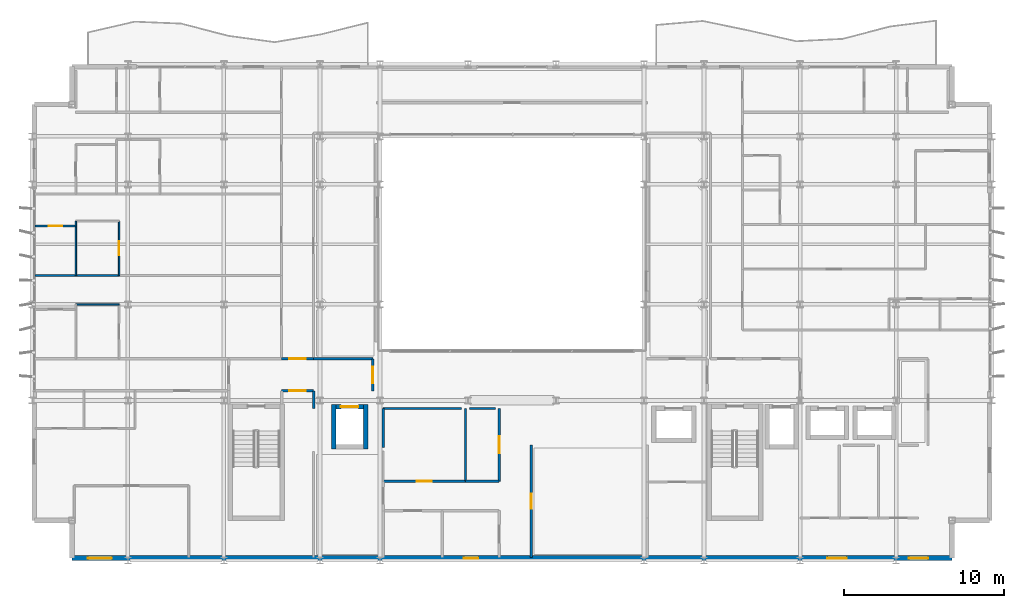
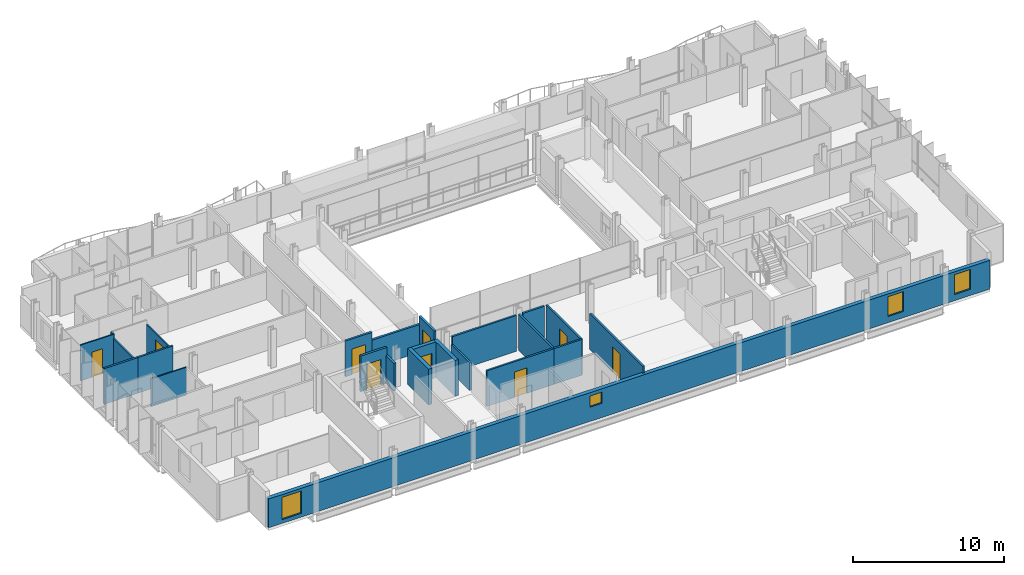
# One storey, part 30 of 40: 24 walls, 9 doors, 4 windows, 13 openings.
"""IFC4 building model written with IfcOpenShell, lengths in metres."""

from ifc_helpers import new_model, si_unit, direction, frame, frame_2d, origin, place, context, subcontext, project, spatial, rectangle, extrude, material, layer, layer_set, type_object, element, fill, save


model = new_model("IFC4")

# Units and contexts
model_context = context("Model", 3, precision=1e-05, world=origin(), true_north=direction((0.0, 1.0)))
body_context = subcontext(model_context, "Body", "Model", "MODEL_VIEW")
ifc_project = project(units=[si_unit("LENGTHUNIT", "METRE"), si_unit("AREAUNIT", "SQUARE_METRE"), si_unit("VOLUMEUNIT", "CUBIC_METRE"), si_unit("PLANEANGLEUNIT", "RADIAN"), si_unit("MASSUNIT", "GRAM", prefix="KILO")], contexts=[model_context])

# Site, building, storey
site_placement = place(None, origin())
site = spatial("IfcSite", under=ifc_project, at=site_placement, CompositionType="ELEMENT")
building_placement = place(site_placement, origin())
building = spatial("IfcBuilding", under=site, at=building_placement, Name="Brevholm Reach", CompositionType="ELEMENT")
storey_placement = place(building_placement, frame((0.0, 0.0, 148.0)))
storey = spatial("IfcBuildingStorey", under=building, at=storey_placement, Name="L44", CompositionType="ELEMENT", Elevation=148.0)

# Walls
ifc_material_1 = material(Name="Concrete C50/60", Category="concrete")
ifc_layer_1 = layer(ifc_material_1, 0.280029296875)
ifc_layer_set_1 = layer_set([ifc_layer_1], Name="Concrete C50/60")
wall_type_1 = type_object("IfcWallType", Name="WAL-COR-280", PredefinedType="SHEAR", material=ifc_layer_set_1)
for number, where, z_axis, x_axis, name in (
    (1, (18.85009765625, 6.9599609375, 0.0), (0.0, 0.0, 1.0), (0.0, 1.0, 0.0), "L44 Lift FFL-1 Shaft Wall W"),
    (2, (20.85009765625, 6.9599609375, 0.0), (0.0, 0.0, 1.0), (0.0, 1.0, 0.0), "L44 Lift FFL-1 Shaft Wall E"),
):
    element("IfcWall", number, at=place(storey_placement, frame(where, z_axis=z_axis, x_axis=x_axis)), inside=storey, type_object=wall_type_1, Name=name, PredefinedType="SHEAR", context=body_context, shape_type="SweptSolid", body=[
        extrude(rectangle(XDim=2.780029296875, YDim=0.280029296875, at=frame_2d((1.39013671875, 0.0))), origin(), (0.0, 0.0, 1.0), 2.8798828125),
    ])

# Wall, opening, door
wall_1_placement = place(storey_placement, frame((18.989990234375, 9.60009765625, 0.0), z_axis=(0.0, 0.0, 1.0), x_axis=(1.0, 0.0, 0.0)))
wall_1 = element("IfcWall", 3, at=wall_1_placement, inside=storey, type_object=wall_type_1, Name="L44 Lift FFL-1 Shaft Wall N", PredefinedType="SHEAR", context=body_context, shape_type="SweptSolid", body=[
    extrude(rectangle(XDim=1.719970703125, YDim=0.280029296875, at=frame_2d((0.85986328125, 0.0))), origin(), (0.0, 0.0, 1.0), 2.8798828125),
])
opening_1_placement = place(wall_1_placement, frame((0.31005859375, 0.0, 0.0)))
opening_1 = element("IfcOpeningElement", 4, at=opening_1_placement, cuts=wall_1, Name="Opening LD-FFL-1", PredefinedType="OPENING", context=body_context, shape_type="SweptSolid", body=[
    extrude(rectangle(XDim=1.10009765625, YDim=2.06005859375, at=frame_2d((0.550048828125, 1.030029296875))), frame((0.0, 0.14990234375, 0.0), z_axis=(0.0, -1.0, 0.0), x_axis=(1.0, 0.0, 0.0)), (0.0, 0.0, 1.0), 0.300048828125),
])
ifc_material_2 = material(Name="Brushed Stainless Steel Fire-Rated Sliding Lift Door", Category="steel")
door_type_1 = type_object("IfcDoorType", Name="DOR-LFT-1100", OperationType="NOTDEFINED", PredefinedType="DOOR", material=ifc_material_2)
door_1_placement = place(opening_1_placement, origin())
door_1 = element("IfcDoor", 5, at=door_1_placement, inside=storey, type_object=door_type_1, Name="L44 Lift FFL-1 Sliding Landing Door", OperationType="SLIDING_TO_RIGHT", OverallHeight=2.06005859375, OverallWidth=1.10009765625, PredefinedType="DOOR", context=body_context, shape_type="SweptSolid", body=[
    extrude(rectangle(XDim=1.10009765625, YDim=2.06005859375, at=frame_2d((0.550048828125, 1.030029296875))), frame((0.0, 0.02490234375, 0.0), z_axis=(0.0, -1.0, 0.0), x_axis=(1.0, 0.0, 0.0)), (0.0, 0.0, 1.0), 0.050048828125),
])
fill(opening_1, door_1)

# Wall, openings, windows
ifc_material_3 = material(Name="Concrete C40/50", Category="concrete")
ifc_layer_2 = layer(ifc_material_3, 0.300048828125)
ifc_layer_set_2 = layer_set([ifc_layer_2], Name="Concrete C40/50")
wall_type_2 = type_object("IfcWallType", Name="WAL-EXT-300", PredefinedType="STANDARD", material=ifc_layer_set_2)
wall_2_placement = place(storey_placement, frame((2.5, 0.14990234375, 0.0), z_axis=(0.0, 0.0, 1.0), x_axis=(1.0, 0.0, 0.0)))
wall_2 = element("IfcWall", 6, at=wall_2_placement, inside=storey, type_object=wall_type_2, Name="L44 Facade Wall WAL-L44-S", PredefinedType="STANDARD", context=body_context, shape_type="SweptSolid", body=[
    extrude(rectangle(XDim=55.0, YDim=0.300048828125, at=frame_2d((27.5, 0.0))), origin(), (0.0, 0.0, 1.0), 2.322021484375),
])
opening_2_placement = place(wall_2_placement, frame((1.0, 0.0, 0.302001953125)))
opening_2 = element("IfcOpeningElement", 7, at=opening_2_placement, cuts=wall_2, Name="Opening WN-05", PredefinedType="OPENING", context=body_context, shape_type="SweptSolid", body=[
    extrude(rectangle(XDim=1.5, YDim=1.800048828125, at=frame_2d((0.75, 0.89990234375))), frame((0.0, 0.159912109375, 0.0), z_axis=(0.0, -1.0, 0.0), x_axis=(1.0, 0.0, 0.0)), (0.0, 0.0, 1.0), 0.320068359375),
])
opening_3_placement = place(wall_2_placement, frame((24.5, 0.0, 1.14990234375)))
opening_3 = element("IfcOpeningElement", 8, at=opening_3_placement, cuts=wall_2, Name="Opening WN-09", PredefinedType="OPENING", context=body_context, shape_type="SweptSolid", body=[
    extrude(rectangle(XDim=0.89990234375, YDim=0.89990234375, at=frame_2d((0.449951171875, 0.449951171875))), frame((0.0, 0.159912109375, 0.0), z_axis=(0.0, -1.0, 0.0), x_axis=(1.0, 0.0, 0.0)), (0.0, 0.0, 1.0), 0.320068359375),
])
opening_4_placement = place(wall_2_placement, frame((47.199951171875, 0.0, 0.501953125)))
opening_4 = element("IfcOpeningElement", 9, at=opening_4_placement, cuts=wall_2, Name="Opening WN-08", PredefinedType="OPENING", context=body_context, shape_type="SweptSolid", body=[
    extrude(rectangle(XDim=1.199951171875, YDim=1.60009765625, at=frame_2d((0.60009765625, 0.800048828125))), frame((0.0, 0.159912109375, 0.0), z_axis=(0.0, -1.0, 0.0), x_axis=(1.0, 0.0, 0.0)), (0.0, 0.0, 1.0), 0.320068359375),
])
opening_5_placement = place(wall_2_placement, frame((52.300048828125, 0.0, 0.501953125)))
opening_5 = element("IfcOpeningElement", 10, at=opening_5_placement, cuts=wall_2, Name="Opening WN-08", PredefinedType="OPENING", context=body_context, shape_type="SweptSolid", body=[
    extrude(rectangle(XDim=1.199951171875, YDim=1.60009765625, at=frame_2d((0.60009765625, 0.800048828125))), frame((0.0, 0.159912109375, 0.0), z_axis=(0.0, -1.0, 0.0), x_axis=(1.0, 0.0, 0.0)), (0.0, 0.0, 1.0), 0.320068359375),
])
ifc_material_4 = material(Name="Dark Anodised Aluminium and Solar-Control IGU Glass", Category="aluminium")
window_type_1 = type_object("IfcWindowType", Name="WIN-POR-0900", PartitioningType="SINGLE_PANEL", PredefinedType="WINDOW", material=ifc_material_4)
window_1_placement = place(opening_3_placement, origin())
window_1 = element("IfcWindow", 11, at=window_1_placement, inside=storey, type_object=window_type_1, Name="L44 Window WIN-L44-S-POR", OverallHeight=0.89990234375, OverallWidth=0.89990234375, PartitioningType="SINGLE_PANEL", PredefinedType="WINDOW", context=body_context, shape_type="SweptSolid", body=[
    extrude(rectangle(XDim=0.89990234375, YDim=0.89990234375, at=frame_2d((0.449951171875, 0.449951171875))), frame((0.0, 0.030029296875, 0.0), z_axis=(0.0, -1.0, 0.0), x_axis=(1.0, 0.0, 0.0)), (0.0, 0.0, 1.0), 0.06005859375),
])
fill(opening_3, window_1)
ifc_material_5 = material(Name="Dark Anodised Aluminium and Solar-Control IGU Glass", Category="aluminium")
window_type_2 = type_object("IfcWindowType", Name="WIN-RES-1200", PartitioningType="SINGLE_PANEL", PredefinedType="WINDOW", material=ifc_material_5)
window_2_placement = place(opening_4_placement, origin())
window_2 = element("IfcWindow", 12, at=window_2_placement, inside=storey, type_object=window_type_2, Name="L44 Window WIN-L44-S-E1", OverallHeight=1.60009765625, OverallWidth=1.199951171875, PartitioningType="SINGLE_PANEL", PredefinedType="WINDOW", context=body_context, shape_type="SweptSolid", body=[
    extrude(rectangle(XDim=1.199951171875, YDim=1.60009765625, at=frame_2d((0.60009765625, 0.800048828125))), frame((0.0, 0.030029296875, 0.0), z_axis=(0.0, -1.0, 0.0), x_axis=(1.0, 0.0, 0.0)), (0.0, 0.0, 1.0), 0.06005859375),
])
fill(opening_4, window_2)
window_3_placement = place(opening_5_placement, origin())
window_3 = element("IfcWindow", 13, at=window_3_placement, inside=storey, type_object=window_type_2, Name="L44 Window WIN-L44-S-E2", OverallHeight=1.60009765625, OverallWidth=1.199951171875, PartitioningType="SINGLE_PANEL", PredefinedType="WINDOW", context=body_context, shape_type="SweptSolid", body=[
    extrude(rectangle(XDim=1.199951171875, YDim=1.60009765625, at=frame_2d((0.60009765625, 0.800048828125))), frame((0.0, 0.030029296875, 0.0), z_axis=(0.0, -1.0, 0.0), x_axis=(1.0, 0.0, 0.0)), (0.0, 0.0, 1.0), 0.06005859375),
])
fill(opening_5, window_3)
ifc_material_6 = material(Name="Dark Anodised Aluminium and Solar-Control IGU Glass", Category="aluminium")
window_type_3 = type_object("IfcWindowType", Name="WIN-RES-1500", PartitioningType="SINGLE_PANEL", PredefinedType="WINDOW", material=ifc_material_6)
window_4_placement = place(opening_2_placement, origin())
window_4 = element("IfcWindow", 14, at=window_4_placement, inside=storey, type_object=window_type_3, Name="L44 Window WIN-L44-S-W1", OverallHeight=1.800048828125, OverallWidth=1.5, PartitioningType="SINGLE_PANEL", PredefinedType="WINDOW", context=body_context, shape_type="SweptSolid", body=[
    extrude(rectangle(XDim=1.5, YDim=1.800048828125, at=frame_2d((0.75, 0.89990234375))), frame((0.0, 0.030029296875, 0.0), z_axis=(0.0, -1.0, 0.0), x_axis=(1.0, 0.0, 0.0)), (0.0, 0.0, 1.0), 0.06005859375),
])
fill(opening_2, window_4)

# Walls
ifc_material_7 = material(Name="Moisture-Resistant Acoustic Gypsum Stud Partition 100 mm", Category="gypsum")
ifc_layer_3 = layer(ifc_material_7, 0.10009765625)
ifc_layer_set_3 = layer_set([ifc_layer_3], Name="Moisture-Resistant Acoustic Gypsum Stud Partition 100 mm")
wall_type_3 = type_object("IfcWallType", Name="WAL-PRT-100", PredefinedType="PARTITIONING", material=ifc_layer_set_3)
wall_3_placement = place(storey_placement, frame((2.75, 16.0, 0.0), z_axis=(0.0, 0.0, 1.0), x_axis=(1.0, 0.0, 0.0)))
element("IfcWall", 15, at=wall_3_placement, inside=storey, type_object=wall_type_3, Name="L44 Internal Partition 075", PredefinedType="PARTITIONING", context=body_context, shape_type="SweptSolid", body=[
    extrude(rectangle(XDim=2.699951171875, YDim=0.10009765625, at=frame_2d((1.35009765625, 0.0))), origin(), (0.0, 0.0, 1.0), 2.242919921875),
])
wall_4_placement = place(storey_placement, frame((2.75, 17.803955078125, 0.0), z_axis=(0.0, 0.0, 1.0), x_axis=(0.0, 1.0, 0.0)))
element("IfcWall", 16, at=wall_4_placement, inside=storey, type_object=wall_type_3, Name="L44 Internal Partition 080", PredefinedType="PARTITIONING", context=body_context, shape_type="SweptSolid", body=[
    extrude(rectangle(XDim=3.095947265625, YDim=0.10009765625, at=frame_2d((1.5478515625, 0.0))), origin(), (0.0, 0.0, 1.0), 2.551513671875),
])

# Wall, opening, door
wall_5_placement = place(storey_placement, frame((0.199951171875, 20.89990234375, 0.0), z_axis=(0.0, 0.0, 1.0), x_axis=(1.0, 0.0, 0.0)))
wall_5 = element("IfcWall", 17, at=wall_5_placement, inside=storey, type_object=wall_type_3, Name="L44 Internal Partition 081", PredefinedType="PARTITIONING", context=body_context, shape_type="SweptSolid", body=[
    extrude(rectangle(XDim=2.550048828125, YDim=0.10009765625, at=frame_2d((1.27490234375, 0.0))), origin(), (0.0, 0.0, 1.0), 2.8798828125),
])
opening_6_placement = place(wall_5_placement, frame((0.864990234375, 0.0, 0.0)))
opening_6 = element("IfcOpeningElement", 18, at=opening_6_placement, cuts=wall_5, Name="Opening ID-03", PredefinedType="OPENING", context=body_context, shape_type="SweptSolid", body=[
    extrude(rectangle(XDim=0.820068359375, YDim=2.02001953125, at=frame_2d((0.41015625, 1.010009765625))), frame((0.0, 0.06005859375, 0.0), z_axis=(0.0, -1.0, 0.0), x_axis=(1.0, 0.0, 0.0)), (0.0, 0.0, 1.0), 0.1201171875),
])
ifc_material_8 = material(Name="Moisture-Resistant Painted Timber Internal Bathroom Door", Category="wood")
door_type_2 = type_object("IfcDoorType", Name="DOR-BATH-820", OperationType="NOTDEFINED", PredefinedType="DOOR", material=ifc_material_8)
door_2_placement = place(opening_6_placement, origin())
door_2 = element("IfcDoor", 19, at=door_2_placement, inside=storey, type_object=door_type_2, Name="L44 Internal Door 036", OperationType="SINGLE_SWING_LEFT", OverallHeight=2.02001953125, OverallWidth=0.820068359375, PredefinedType="DOOR", context=body_context, shape_type="SweptSolid", body=[
    extrude(rectangle(XDim=0.820068359375, YDim=2.02001953125, at=frame_2d((0.41015625, 1.010009765625))), frame((0.0, 0.02490234375, 0.0), z_axis=(0.0, -1.0, 0.0), x_axis=(1.0, 0.0, 0.0)), (0.0, 0.0, 1.0), 0.050048828125),
])
fill(opening_6, door_2)

wall_6_placement = place(storey_placement, frame((5.449951171875, 17.803955078125, 0.0), z_axis=(0.0, 0.0, 1.0), x_axis=(0.0, 1.0, 0.0)))
wall_6 = element("IfcWall", 20, at=wall_6_placement, inside=storey, type_object=wall_type_3, Name="L44 Internal Partition 082", PredefinedType="PARTITIONING", context=body_context, shape_type="SweptSolid", body=[
    extrude(rectangle(XDim=3.39599609375, YDim=0.10009765625, at=frame_2d((1.697998046875, 0.0))), origin(), (0.0, 0.0, 1.0), 2.551513671875),
])
opening_7_placement = place(wall_6_placement, frame((1.258056640625, 0.0, 0.0)))
opening_7 = element("IfcOpeningElement", 21, at=opening_7_placement, cuts=wall_6, Name="Opening ID-01", PredefinedType="OPENING", context=body_context, shape_type="SweptSolid", body=[
    extrude(rectangle(XDim=0.8798828125, YDim=2.0400390625, at=frame_2d((0.43994140625, 1.02001953125))), frame((0.0, 0.06005859375, 0.0), z_axis=(0.0, -1.0, 0.0), x_axis=(1.0, 0.0, 0.0)), (0.0, 0.0, 1.0), 0.1201171875),
])
ifc_material_9 = material(Name="Lacquered Ash Solid-Core Acoustic Internal Door", Category="timber")
door_type_3 = type_object("IfcDoorType", Name="DOR-INT-880", OperationType="NOTDEFINED", PredefinedType="DOOR", material=ifc_material_9)
door_3_placement = place(opening_7_placement, origin())
door_3 = element("IfcDoor", 22, at=door_3_placement, inside=storey, type_object=door_type_3, Name="L44 Internal Door 037", OperationType="SINGLE_SWING_RIGHT", OverallHeight=2.0400390625, OverallWidth=0.8798828125, PredefinedType="DOOR", context=body_context, shape_type="SweptSolid", body=[
    extrude(rectangle(XDim=0.8798828125, YDim=2.0400390625, at=frame_2d((0.43994140625, 1.02001953125))), frame((0.0, 0.02490234375, 0.0), z_axis=(0.0, -1.0, 0.0), x_axis=(1.0, 0.0, 0.0)), (0.0, 0.0, 1.0), 0.050048828125),
])
fill(opening_7, door_3)

# Wall
wall_7_placement = place(storey_placement, frame((2.75, 20.904052734375, 0.0), z_axis=(0.0, 0.0, 1.0), x_axis=(0.0, 1.0, 0.0)))
element("IfcWall", 23, at=wall_7_placement, inside=storey, type_object=wall_type_3, Name="L44 Internal Partition 084", PredefinedType="PARTITIONING", context=body_context, shape_type="SweptSolid", body=[
    extrude(rectangle(XDim=0.2958984375, YDim=0.10009765625, at=frame_2d((0.14794921875, 0.0))), origin(), (0.0, 0.0, 1.0), 2.8798828125),
])

# Wall, opening, door
ifc_material_10 = material(Name="Twin-Stud Acoustic Fire-Rated Gypsum Partition 140 mm", Category="gypsum")
ifc_layer_4 = layer(ifc_material_10, 0.139892578125)
ifc_layer_set_4 = layer_set([ifc_layer_4], Name="Twin-Stud Acoustic Fire-Rated Gypsum Partition 140 mm")
wall_type_4 = type_object("IfcWallType", Name="WAL-PRT-140", PredefinedType="PARTITIONING", material=ifc_layer_set_4)
wall_8_placement = place(storey_placement, frame((29.199951171875, 4.942626953125, 0.0), z_axis=(0.0, 0.0, 1.0), x_axis=(0.0, 1.0, 0.0)))
wall_8 = element("IfcWall", 24, at=wall_8_placement, inside=storey, type_object=wall_type_4, Name="L44 Internal Partition 002", PredefinedType="PARTITIONING", context=body_context, shape_type="SweptSolid", body=[
    extrude(rectangle(XDim=4.568603515625, YDim=0.139892578125, at=frame_2d((2.2841796875, 0.0))), origin(), (0.0, 0.0, 1.0), 2.8798828125),
])
opening_8_placement = place(wall_8_placement, frame((1.75927734375, 0.0, 0.0)))
opening_8 = element("IfcOpeningElement", 25, at=opening_8_placement, cuts=wall_8, Name="Opening FD-01", PredefinedType="OPENING", context=body_context, shape_type="SweptSolid", body=[
    extrude(rectangle(XDim=1.050048828125, YDim=2.06005859375, at=frame_2d((0.52490234375, 1.030029296875))), frame((0.0, 0.079833984375, 0.0), z_axis=(0.0, -1.0, 0.0), x_axis=(1.0, 0.0, 0.0)), (0.0, 0.0, 1.0), 0.159912109375),
])
ifc_material_11 = material(Name="Hardwood-Lipped Steel-Core Fire and Smoke Door", Category="steel")
door_type_4 = type_object("IfcDoorType", Name="DOR-INT-FD60S", OperationType="NOTDEFINED", PredefinedType="DOOR", material=ifc_material_11)
door_4_placement = place(opening_8_placement, origin())
door_4 = element("IfcDoor", 26, at=door_4_placement, inside=storey, type_object=door_type_4, Name="L44 Internal Door 002", OperationType="SINGLE_SWING_LEFT", OverallHeight=2.06005859375, OverallWidth=1.050048828125, PredefinedType="DOOR", context=body_context, shape_type="SweptSolid", body=[
    extrude(rectangle(XDim=1.050048828125, YDim=2.06005859375, at=frame_2d((0.52490234375, 1.030029296875))), frame((0.0, 0.02490234375, 0.0), z_axis=(0.0, -1.0, 0.0), x_axis=(1.0, 0.0, 0.0)), (0.0, 0.0, 1.0), 0.050048828125),
])
fill(opening_8, door_4)

wall_9_placement = place(storey_placement, frame((31.199951171875, 0.179931640625, 0.0), z_axis=(0.0, 0.0, 1.0), x_axis=(0.0, 1.0, 0.0)))
wall_9 = element("IfcWall", 27, at=wall_9_placement, inside=storey, type_object=wall_type_4, Name="L44 Internal Partition 003", PredefinedType="PARTITIONING", context=body_context, shape_type="SweptSolid", body=[
    extrude(rectangle(XDim=7.03125, YDim=0.139892578125, at=frame_2d((3.515625, 0.0))), origin(), (0.0, 0.0, 1.0), 2.8798828125),
])
opening_9_placement = place(wall_9_placement, frame((3.04052734375, 0.0, 0.0)))
opening_9 = element("IfcOpeningElement", 28, at=opening_9_placement, cuts=wall_9, Name="Opening ID-30", PredefinedType="OPENING", context=body_context, shape_type="SweptSolid", body=[
    extrude(rectangle(XDim=0.949951171875, YDim=2.050048828125, at=frame_2d((0.47509765625, 1.02490234375))), frame((0.0, 0.079833984375, 0.0), z_axis=(0.0, -1.0, 0.0), x_axis=(1.0, 0.0, 0.0)), (0.0, 0.0, 1.0), 0.159912109375),
])
ifc_material_12 = material(Name="European Oak Veneered Solid-Core Fire Entrance Door", Category="timber")
door_type_5 = type_object("IfcDoorType", Name="DOR-FLT-FD30S", OperationType="NOTDEFINED", PredefinedType="DOOR", material=ifc_material_12)
door_5_placement = place(opening_9_placement, origin())
door_5 = element("IfcDoor", 29, at=door_5_placement, inside=storey, type_object=door_type_5, Name="L44 Internal Door 003", OperationType="SINGLE_SWING_RIGHT", OverallHeight=2.050048828125, OverallWidth=0.949951171875, PredefinedType="DOOR", context=body_context, shape_type="SweptSolid", body=[
    extrude(rectangle(XDim=0.949951171875, YDim=2.050048828125, at=frame_2d((0.47509765625, 1.02490234375))), frame((0.0, 0.02490234375, 0.0), z_axis=(0.0, -1.0, 0.0), x_axis=(1.0, 0.0, 0.0)), (0.0, 0.0, 1.0), 0.050048828125),
])
fill(opening_9, door_5)

wall_10_placement = place(storey_placement, frame((21.949951171875, 4.949951171875, 0.0), z_axis=(0.0, 0.0, 1.0), x_axis=(1.0, 0.0, 0.0)))
wall_10 = element("IfcWall", 30, at=wall_10_placement, inside=storey, type_object=wall_type_4, Name="L44 Internal Partition 006", PredefinedType="PARTITIONING", context=body_context, shape_type="SweptSolid", body=[
    extrude(rectangle(XDim=5.1513671875, YDim=0.139892578125, at=frame_2d((2.57568359375, 0.0))), origin(), (0.0, 0.0, 1.0), 2.8798828125),
])
opening_10_placement = place(wall_10_placement, frame((2.1005859375, 0.0, 0.0)))
opening_10 = element("IfcOpeningElement", 31, at=opening_10_placement, cuts=wall_10, Name="Opening ID-30", PredefinedType="OPENING", context=body_context, shape_type="SweptSolid", body=[
    extrude(rectangle(XDim=0.949951171875, YDim=2.050048828125, at=frame_2d((0.47509765625, 1.02490234375))), frame((0.0, 0.079833984375, 0.0), z_axis=(0.0, -1.0, 0.0), x_axis=(1.0, 0.0, 0.0)), (0.0, 0.0, 1.0), 0.159912109375),
])
door_6_placement = place(opening_10_placement, origin())
door_6 = element("IfcDoor", 32, at=door_6_placement, inside=storey, type_object=door_type_5, Name="L44 Internal Door 005", OperationType="SINGLE_SWING_RIGHT", OverallHeight=2.050048828125, OverallWidth=0.949951171875, PredefinedType="DOOR", context=body_context, shape_type="SweptSolid", body=[
    extrude(rectangle(XDim=0.949951171875, YDim=2.050048828125, at=frame_2d((0.47509765625, 1.02490234375))), frame((0.0, 0.02490234375, 0.0), z_axis=(0.0, -1.0, 0.0), x_axis=(1.0, 0.0, 0.0)), (0.0, 0.0, 1.0), 0.050048828125),
])
fill(opening_10, door_6)

# Walls
wall_11_placement = place(storey_placement, frame((27.082763671875, 4.949951171875, 0.0), z_axis=(0.0, 0.0, 1.0), x_axis=(1.0, 0.0, 0.0)))
element("IfcWall", 33, at=wall_11_placement, inside=storey, type_object=wall_type_4, Name="L44 Internal Partition 007", PredefinedType="PARTITIONING", context=body_context, shape_type="SweptSolid", body=[
    extrude(rectangle(XDim=2.11328125, YDim=0.139892578125, at=frame_2d((1.056640625, 0.0))), origin(), (0.0, 0.0, 1.0), 2.8798828125),
])
wall_12_placement = place(storey_placement, frame((27.090087890625, 4.9541015625, 0.0), z_axis=(0.0, 0.0, 1.0), x_axis=(0.0, 1.0, 0.0)))
element("IfcWall", 34, at=wall_12_placement, inside=storey, type_object=wall_type_4, Name="L44 Internal Partition 011", PredefinedType="PARTITIONING", context=body_context, shape_type="SweptSolid", body=[
    extrude(rectangle(XDim=4.5458984375, YDim=0.139892578125, at=frame_2d((2.27294921875, 0.0))), origin(), (0.0, 0.0, 1.0), 2.8798828125),
])
wall_13_placement = place(storey_placement, frame((0.199951171875, 17.800048828125, 0.0), z_axis=(0.0, 0.0, 1.0), x_axis=(1.0, 0.0, 0.0)))
element("IfcWall", 35, at=wall_13_placement, inside=storey, type_object=wall_type_4, Name="L44 Internal Partition 077", PredefinedType="PARTITIONING", context=body_context, shape_type="SweptSolid", body=[
    extrude(rectangle(XDim=2.561279296875, YDim=0.139892578125, at=frame_2d((1.28076171875, 0.0))), origin(), (0.0, 0.0, 1.0), 2.8798828125),
])
wall_14_placement = place(storey_placement, frame((2.74267578125, 17.800048828125, 0.0), z_axis=(0.0, 0.0, 1.0), x_axis=(1.0, 0.0, 0.0)))
element("IfcWall", 36, at=wall_14_placement, inside=storey, type_object=wall_type_4, Name="L44 Internal Partition 078", PredefinedType="PARTITIONING", context=body_context, shape_type="SweptSolid", body=[
    extrude(rectangle(XDim=2.718505859375, YDim=0.139892578125, at=frame_2d((1.359375, 0.0))), origin(), (0.0, 0.0, 1.0), 2.8798828125),
])
wall_15_placement = place(storey_placement, frame((21.949951171875, 9.5, 0.0), z_axis=(0.0, 0.0, 1.0), x_axis=(1.0, 0.0, 0.0)))
element("IfcWall", 37, at=wall_15_placement, inside=storey, type_object=wall_type_4, Name="L44 Internal Partition 121", PredefinedType="PARTITIONING", context=body_context, shape_type="SweptSolid", body=[
    extrude(rectangle(XDim=4.900146484375, YDim=0.139892578125, at=frame_2d((2.4501953125, 0.0))), origin(), (0.0, 0.0, 1.0), 2.8798828125),
])
wall_16_placement = place(storey_placement, frame((21.949951171875, 7.05126953125, 0.0), z_axis=(0.0, 0.0, 1.0), x_axis=(0.0, 1.0, 0.0)))
element("IfcWall", 38, at=wall_16_placement, inside=storey, type_object=wall_type_4, Name="L44 Internal Partition 122", PredefinedType="PARTITIONING", context=body_context, shape_type="SweptSolid", body=[
    extrude(rectangle(XDim=2.44873046875, YDim=0.139892578125, at=frame_2d((1.224365234375, 0.0))), origin(), (0.0, 0.0, 1.0), 2.242919921875),
])
wall_17_placement = place(storey_placement, frame((27.330078125, 9.5, 0.0), z_axis=(0.0, 0.0, 1.0), x_axis=(1.0, 0.0, 0.0)))
element("IfcWall", 39, at=wall_17_placement, inside=storey, type_object=wall_type_4, Name="L44 Internal Partition 123", PredefinedType="PARTITIONING", context=body_context, shape_type="SweptSolid", body=[
    extrude(rectangle(XDim=1.6298828125, YDim=0.139892578125, at=frame_2d((0.81494140625, 0.0))), origin(), (0.0, 0.0, 1.0), 2.8798828125),
])
ifc_material_13 = material(Name="Twin-Frame Fire-Rated Gypsum Board and Mineral Wool 160 mm", Category="gypsum")
ifc_layer_5 = layer(ifc_material_13, 0.159912109375)
ifc_layer_set_5 = layer_set([ifc_layer_5], Name="Twin-Frame Fire-Rated Gypsum Board and Mineral Wool 160 mm")
wall_type_5 = type_object("IfcWallType", Name="WAL-PRT-160", PredefinedType="PARTITIONING", material=ifc_layer_set_5)
wall_18_placement = place(storey_placement, frame((17.60009765625, 9.48876953125, 0.0), z_axis=(0.0, 0.0, 1.0), x_axis=(0.0, 1.0, 0.0)))
element("IfcWall", 40, at=wall_18_placement, inside=storey, type_object=wall_type_5, Name="L44 Internal Partition 022", PredefinedType="PARTITIONING", context=body_context, shape_type="SweptSolid", body=[
    extrude(rectangle(XDim=1.111328125, YDim=0.159912109375, at=frame_2d((0.5556640625, 0.0))), origin(), (0.0, 0.0, 1.0), 2.242919921875),
])

# Wall, opening, door
wall_19_placement = place(storey_placement, frame((15.60009765625, 10.60009765625, 0.0), z_axis=(0.0, 0.0, 1.0), x_axis=(1.0, 0.0, 0.0)))
wall_19 = element("IfcWall", 41, at=wall_19_placement, inside=storey, type_object=wall_type_5, Name="L44 Internal Partition 023", PredefinedType="PARTITIONING", context=body_context, shape_type="SweptSolid", body=[
    extrude(rectangle(XDim=2.0, YDim=0.159912109375, at=frame_2d((1.0, 0.0))), origin(), (0.0, 0.0, 1.0), 2.8798828125),
])
opening_11_placement = place(wall_19_placement, frame((0.47509765625, 0.0, 0.0)))
opening_11 = element("IfcOpeningElement", 42, at=opening_11_placement, cuts=wall_19, Name="Opening FD-01", PredefinedType="OPENING", context=body_context, shape_type="SweptSolid", body=[
    extrude(rectangle(XDim=1.050048828125, YDim=2.06005859375, at=frame_2d((0.52490234375, 1.030029296875))), frame((0.0, 0.08984375, 0.0), z_axis=(0.0, -1.0, 0.0), x_axis=(1.0, 0.0, 0.0)), (0.0, 0.0, 1.0), 0.179931640625),
])
door_7_placement = place(opening_11_placement, origin())
door_7 = element("IfcDoor", 43, at=door_7_placement, inside=storey, type_object=door_type_4, Name="L44 Internal Door 011", OperationType="SINGLE_SWING_RIGHT", OverallHeight=2.06005859375, OverallWidth=1.050048828125, PredefinedType="DOOR", context=body_context, shape_type="SweptSolid", body=[
    extrude(rectangle(XDim=1.050048828125, YDim=2.06005859375, at=frame_2d((0.52490234375, 1.030029296875))), frame((0.0, 0.02490234375, 0.0), z_axis=(0.0, -1.0, 0.0), x_axis=(1.0, 0.0, 0.0)), (0.0, 0.0, 1.0), 0.050048828125),
])
fill(opening_11, door_7)

wall_20_placement = place(storey_placement, frame((21.300048828125, 10.588623046875, 0.0), z_axis=(0.0, 0.0, 1.0), x_axis=(0.0, 1.0, 0.0)))
wall_20 = element("IfcWall", 44, at=wall_20_placement, inside=storey, type_object=wall_type_5, Name="L44 Internal Partition 028", PredefinedType="PARTITIONING", context=body_context, shape_type="SweptSolid", body=[
    extrude(rectangle(XDim=2.011474609375, YDim=0.159912109375, at=frame_2d((1.005859375, 0.0))), origin(), (0.0, 0.0, 1.0), 2.8798828125),
])
opening_12_placement = place(wall_20_placement, frame((0.480712890625, 0.0, 0.0)))
opening_12 = element("IfcOpeningElement", 45, at=opening_12_placement, cuts=wall_20, Name="Opening FD-01", PredefinedType="OPENING", context=body_context, shape_type="SweptSolid", body=[
    extrude(rectangle(XDim=1.050048828125, YDim=2.06005859375, at=frame_2d((0.52490234375, 1.030029296875))), frame((0.0, 0.08984375, 0.0), z_axis=(0.0, -1.0, 0.0), x_axis=(1.0, 0.0, 0.0)), (0.0, 0.0, 1.0), 0.179931640625),
])
door_8_placement = place(opening_12_placement, origin())
door_8 = element("IfcDoor", 46, at=door_8_placement, inside=storey, type_object=door_type_4, Name="L44 Internal Door 013", OperationType="SINGLE_SWING_RIGHT", OverallHeight=2.06005859375, OverallWidth=1.050048828125, PredefinedType="DOOR", context=body_context, shape_type="SweptSolid", body=[
    extrude(rectangle(XDim=1.050048828125, YDim=2.06005859375, at=frame_2d((0.52490234375, 1.030029296875))), frame((0.0, 0.02490234375, 0.0), z_axis=(0.0, -1.0, 0.0), x_axis=(1.0, 0.0, 0.0)), (0.0, 0.0, 1.0), 0.050048828125),
])
fill(opening_12, door_8)

wall_21_placement = place(storey_placement, frame((15.588623046875, 12.60009765625, 0.0), z_axis=(0.0, 0.0, 1.0), x_axis=(1.0, 0.0, 0.0)))
wall_21 = element("IfcWall", 47, at=wall_21_placement, inside=storey, type_object=wall_type_5, Name="L44 Internal Partition 029", PredefinedType="PARTITIONING", context=body_context, shape_type="SweptSolid", body=[
    extrude(rectangle(XDim=2.022705078125, YDim=0.159912109375, at=frame_2d((1.01123046875, 0.0))), origin(), (0.0, 0.0, 1.0), 2.8798828125),
])
opening_13_placement = place(wall_21_placement, frame((0.486328125, 0.0, 0.0)))
opening_13 = element("IfcOpeningElement", 48, at=opening_13_placement, cuts=wall_21, Name="Opening FD-01", PredefinedType="OPENING", context=body_context, shape_type="SweptSolid", body=[
    extrude(rectangle(XDim=1.050048828125, YDim=2.06005859375, at=frame_2d((0.52490234375, 1.030029296875))), frame((0.0, 0.08984375, 0.0), z_axis=(0.0, -1.0, 0.0), x_axis=(1.0, 0.0, 0.0)), (0.0, 0.0, 1.0), 0.179931640625),
])
door_9_placement = place(opening_13_placement, origin())
door_9 = element("IfcDoor", 49, at=door_9_placement, inside=storey, type_object=door_type_4, Name="L44 Internal Door 014", OperationType="SINGLE_SWING_LEFT", OverallHeight=2.06005859375, OverallWidth=1.050048828125, PredefinedType="DOOR", context=body_context, shape_type="SweptSolid", body=[
    extrude(rectangle(XDim=1.050048828125, YDim=2.06005859375, at=frame_2d((0.52490234375, 1.030029296875))), frame((0.0, 0.02490234375, 0.0), z_axis=(0.0, -1.0, 0.0), x_axis=(1.0, 0.0, 0.0)), (0.0, 0.0, 1.0), 0.050048828125),
])
fill(opening_13, door_9)

# Wall
wall_22_placement = place(storey_placement, frame((17.5927734375, 12.60009765625, 0.0), z_axis=(0.0, 0.0, 1.0), x_axis=(1.0, 0.0, 0.0)))
element("IfcWall", 50, at=wall_22_placement, inside=storey, type_object=wall_type_5, Name="L44 Internal Partition 033", PredefinedType="PARTITIONING", context=body_context, shape_type="SweptSolid", body=[
    extrude(rectangle(XDim=3.707275390625, YDim=0.159912109375, at=frame_2d((1.853515625, 0.0))), origin(), (0.0, 0.0, 1.0), 2.242919921875),
])

save(model, "model.ifc")
